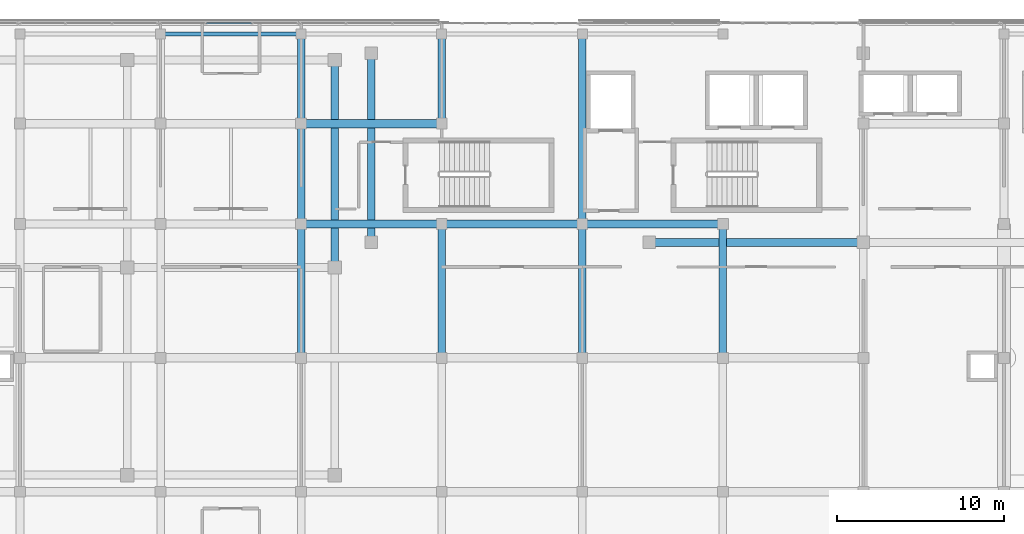
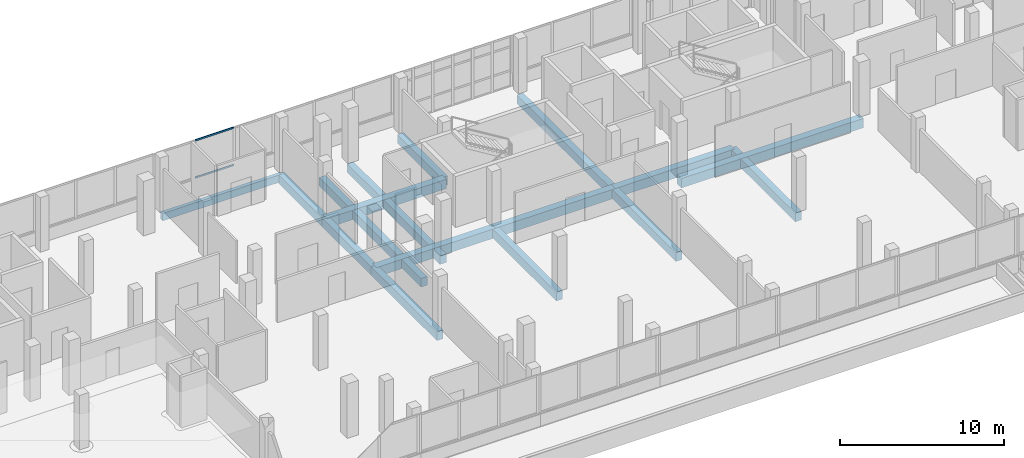
# One storey, part 30 of 78: 16 beams, 2 members, 1 element without a shape of its own.
"""IFC4 building model written with IfcOpenShell, lengths in metres."""

import ifcopenshell
import ifcopenshell.guid

model = None  # the IFC model being written
_history = None  # IfcOwnerHistory: only IFC2X3 demands one
_inside = {}  # id of a spatial element -> (the spatial element, [elements in it])
_under = {}  # id of a project, library or spatial element -> (it, [spatial elements below it])
_declared = {}  # id of a project -> (the project, [libraries it declares])
_typed = {}  # id of a type object -> (the type object, [elements of that type])
_made_of = {}  # id of a material, layer set ... -> (it, [elements and type objects made of it])


def new_model(schema):
    """Start an empty IFC model of exactly this schema.

    Asked for "IFC4X3", IfcOpenShell would pick the latest addendum, in which some entities
    have other attributes; the version numbers below select the first issue.
    IFC2X3 requires an IfcOwnerHistory on every rooted entity: one is made here for all.
    """
    global model, _history
    if schema == "IFC4X3":
        model = ifcopenshell.file(schema_version=(4, 3, 0, 0))
    else:
        model = ifcopenshell.file(schema=schema)
    _inside.clear()
    _under.clear()
    _declared.clear()
    _typed.clear()
    _made_of.clear()
    _history = None
    if model.schema == "IFC2X3":
        org = make("IfcOrganization", Name="unknown")
        user = make(
            "IfcPersonAndOrganization",
            ThePerson=make("IfcPerson", FamilyName="unknown"),
            TheOrganization=org,
        )
        app = make(
            "IfcApplication",
            ApplicationDeveloper=org,
            Version="unknown",
            ApplicationFullName="unknown",
            ApplicationIdentifier="unknown",
        )
        _history = make(
            "IfcOwnerHistory",
            OwningUser=user,
            OwningApplication=app,
            ChangeAction="ADDED",
            CreationDate=0,
        )
    return model


def make(cls, **values):
    """One entity of the class cls with the attributes given. An attribute that is None is left unset."""
    return model.create_entity(
        cls, **{name: value for name, value in values.items() if value is not None}
    )


def rooted(cls, **values):
    """An entity with a GlobalId (a new one), such as an element, a storey or a relation."""
    return make(cls, GlobalId=ifcopenshell.guid.new(), OwnerHistory=_history, **values)


def si_unit(unit_type, name, prefix=None):
    """IfcSIUnit, for example si_unit("LENGTHUNIT", "METRE", prefix="MILLI")."""
    return make("IfcSIUnit", UnitType=unit_type, Prefix=prefix, Name=name)


def assignment(units):
    """IfcUnitAssignment: the units of a project."""
    return None if units is None else make("IfcUnitAssignment", Units=units)


def point(xyz):
    """IfcCartesianPoint."""
    return None if xyz is None else make("IfcCartesianPoint", Coordinates=xyz)


def direction(xyz):
    """IfcDirection."""
    return None if xyz is None else make("IfcDirection", DirectionRatios=xyz)


def frame(location, z_axis=None, x_axis=None):
    """IfcAxis2Placement3D, a coordinate frame: its origin and axes. An axis left out is left unset."""
    return make(
        "IfcAxis2Placement3D",
        Location=point(location),
        Axis=direction(z_axis),
        RefDirection=direction(x_axis),
    )


def frame_2d(location, x_axis=None):
    """IfcAxis2Placement2D, a coordinate frame in the plane: its origin and x axis."""
    return make(
        "IfcAxis2Placement2D", Location=point(location), RefDirection=direction(x_axis)
    )


def origin():
    """The frame at (0, 0, 0) with its axes left unset."""
    return frame((0.0, 0.0, 0.0))


def origin_2d():
    """The frame at (0, 0) in the plane with its x axis left unset."""
    return frame_2d((0.0, 0.0))


def place(relative_to, where):
    """IfcLocalPlacement: puts the frame where relative to a parent placement (None: the world)."""
    return make(
        "IfcLocalPlacement", PlacementRelTo=relative_to, RelativePlacement=where
    )


def context(
    kind, dimensions, precision=None, world=None, true_north=None, identifier=None
):
    """IfcGeometricRepresentationContext, for example the 3D "Model" context."""
    return make(
        "IfcGeometricRepresentationContext",
        ContextIdentifier=identifier,
        ContextType=kind,
        CoordinateSpaceDimension=dimensions,
        Precision=precision,
        WorldCoordinateSystem=world,
        TrueNorth=true_north,
    )


def subcontext(parent, identifier, kind, view, scale=None):
    """IfcGeometricRepresentationSubContext, for example "Body" below "Model"."""
    return make(
        "IfcGeometricRepresentationSubContext",
        ContextIdentifier=identifier,
        ContextType=kind,
        ParentContext=parent,
        TargetScale=scale,
        TargetView=view,
    )


def project(units=None, contexts=None):
    """IfcProject with its units and contexts."""
    return rooted(
        "IfcProject",
        Name="project",
        RepresentationContexts=contexts,
        UnitsInContext=assignment(units),
    )


def spatial(cls, under=None, at=None, **own):
    """A site, building, storey or space (cls), placed at a placement, below another one or the project."""
    s = rooted(cls, ObjectPlacement=at, **own)
    if under is not None:
        _under.setdefault(under.id(), (under, []))[1].append(s)
    return s


def profile(cls, at=None, kind="AREA", **sizes):
    """A parametric profile (cls). Its sizes go by their IFC names, for example OverallWidth=200.0."""
    return make(cls, ProfileType=kind, Position=at, **sizes)


def rectangle(**sizes):
    """IfcRectangleProfileDef."""
    return profile("IfcRectangleProfileDef", **sizes)


def hollow_rectangle(**sizes):
    """IfcRectangleHollowProfileDef."""
    return profile("IfcRectangleHollowProfileDef", **sizes)


def extrude(swept, where, along, depth):
    """IfcExtrudedAreaSolid: the profile swept, set in the frame where, extruded along a direction by depth."""
    return make(
        "IfcExtrudedAreaSolid",
        SweptArea=swept,
        Position=where,
        ExtrudedDirection=direction(along),
        Depth=depth,
    )


def shape(context_of_items, identifier, shape_type, items):
    """IfcShapeRepresentation: the items that make up one representation, for example the "Body"."""
    return make(
        "IfcShapeRepresentation",
        ContextOfItems=context_of_items,
        RepresentationIdentifier=identifier,
        RepresentationType=shape_type,
        Items=items,
    )


def material(Name=None, Category=None):
    """IfcMaterial."""
    return make("IfcMaterial", Name=Name, Category=Category)


def material_profile(
    of_material, cross_section, Name=None, Category=None, Priority=None
):
    """IfcMaterialProfile: a cross section and its material."""
    return make(
        "IfcMaterialProfile",
        Name=Name,
        Material=of_material,
        Profile=cross_section,
        Priority=Priority,
        Category=Category,
    )


def profile_set(profiles, Name=None, composite=None):
    """IfcMaterialProfileSet."""
    return make(
        "IfcMaterialProfileSet",
        Name=Name,
        MaterialProfiles=profiles,
        CompositeProfile=composite,
    )


def made_of(thing, what):
    """Note that an element or type object is made of a material, layer set ...; save() writes the relation."""
    if what is not None:
        _made_of.setdefault(what.id(), (what, []))[1].append(thing)
    return thing


def type_object(cls, material=None, **own):
    """A type object (cls), such as IfcWallType, which elements share."""
    return made_of(rooted(cls, **own), material)


def element(
    cls,
    number,
    at=None,
    inside=None,
    cuts=None,
    type_object=None,
    material=None,
    context=None,
    identifier="Body",
    shape_type=None,
    held_by="IfcProductDefinitionShape",
    body=None,
    shapes=None,
    **own,
):
    """One element of the class cls, such as IfcWall. Its Tag is "e" and its number.

    at: its placement. inside: the storey or other place that contains it. cuts: it is an
    opening in that element (IfcRelVoidsElement). A single representation is given by context,
    identifier, shape_type and body (its items); several are given by shapes. held_by: the class
    of the entity that holds the representations. save() writes the other relations.
    """
    e = rooted(cls, Tag="e%d" % number, ObjectPlacement=at, **own)
    if body is not None:
        shapes = [shape(context, identifier, shape_type, body)]
    if shapes is not None:
        e.Representation = make(held_by, Representations=shapes)
    if inside is not None:
        _inside.setdefault(inside.id(), (inside, []))[1].append(e)
    if cuts is not None:
        rooted(
            "IfcRelVoidsElement", RelatingBuildingElement=cuts, RelatedOpeningElement=e
        )
    if type_object is not None:
        _typed.setdefault(type_object.id(), (type_object, []))[1].append(e)
    return made_of(e, material)


def aggregate(whole, parts):
    """IfcRelAggregates: a whole, such as a stair, and the parts it consists of."""
    return rooted("IfcRelAggregates", RelatingObject=whole, RelatedObjects=parts)


def save(model, path):
    """Write the relations noted so far, then the file.

    IfcRelAggregates (storeys below a building ...), IfcRelContainedInSpatialStructure (elements
    in a storey), IfcRelDefinesByType, IfcRelAssociatesMaterial and IfcRelDeclares: one each for
    every whole, place, type object, material and project.
    """
    for whole, parts in _under.values():
        aggregate(whole, parts)
    for where, things in _inside.values():
        rooted(
            "IfcRelContainedInSpatialStructure",
            RelatedElements=things,
            RelatingStructure=where,
        )
    for kind, things in _typed.values():
        rooted("IfcRelDefinesByType", RelatedObjects=things, RelatingType=kind)
    for what, things in _made_of.values():
        rooted("IfcRelAssociatesMaterial", RelatedObjects=things, RelatingMaterial=what)
    for by, libraries in _declared.values():
        rooted("IfcRelDeclares", RelatingContext=by, RelatedDefinitions=libraries)
    model.write(path)


model = new_model("IFC4")

# Units and contexts
model_context = context("Model", 3, precision=1e-05, world=origin(), true_north=direction((0.0, 1.0)))
body_context = subcontext(model_context, "Body", "Model", "MODEL_VIEW")
ifc_project = project(units=[si_unit("LENGTHUNIT", "METRE"), si_unit("AREAUNIT", "SQUARE_METRE"), si_unit("VOLUMEUNIT", "CUBIC_METRE"), si_unit("PLANEANGLEUNIT", "RADIAN"), si_unit("MASSUNIT", "GRAM", prefix="KILO")], contexts=[model_context])

# Site, building, storey
site_placement = place(None, origin())
site = spatial("IfcSite", under=ifc_project, at=site_placement, CompositionType="ELEMENT")
building_placement = place(site_placement, origin())
building = spatial("IfcBuilding", under=site, at=building_placement, Name="Selatvlak General Hospital", CompositionType="ELEMENT")
storey_placement = place(building_placement, frame((0.0, 0.0, 23.25)))
storey = spatial("IfcBuildingStorey", under=building, at=storey_placement, Name="L05", CompositionType="ELEMENT", Elevation=23.25)

# Beams
ifc_material_1 = material(Name="Concrete C40/50", Category="concrete")
ifc_material_profile_1 = material_profile(ifc_material_1, rectangle(XDim=0.5, YDim=0.699951171875, at=origin_2d()), Name="RC-BM 500x700")
ifc_profile_set_1 = profile_set([ifc_material_profile_1], Name="Concrete C40/50")
beam_type_1 = type_object("IfcBeamType", Name="BM-G03", PredefinedType="BEAM", material=ifc_profile_set_1)
beam_1_placement = place(storey_placement, frame((102.39990234375, 106.89990234375, -0.6298828125), z_axis=(1.0, 0.0, 0.0), x_axis=(0.0, 1.0, 0.0)))
element("IfcBeam", 1, at=beam_1_placement, inside=storey, type_object=beam_type_1, Name="Beam BMR-L05-1944", PredefinedType="BEAM", context=body_context, shape_type="SweptSolid", body=[
    extrude(rectangle(XDim=0.5, YDim=0.699951171875, at=origin_2d()), origin(), (0.0, 0.0, 1.0), 12.800048828125),
])
for number, where, z_axis, x_axis, name in (
    (2, (81.60009765625, 108.0, -0.6298828125), (1.0, 0.0, 0.0), (0.0, 1.0, 0.0), "Beam BMR-L05-1952"),
    (3, (90.0, 108.0, -0.6298828125), (1.0, 0.0, 0.0), (0.0, 1.0, 0.0), "Beam BMR-L05-1953"),
):
    element("IfcBeam", number, at=place(storey_placement, frame(where, z_axis=z_axis, x_axis=x_axis)), inside=storey, type_object=beam_type_1, Name=name, PredefinedType="BEAM", context=body_context, shape_type="SweptSolid", body=[
        extrude(rectangle(XDim=0.5, YDim=0.699951171875, at=origin_2d()), origin(), (0.0, 0.0, 1.0), 8.39990234375),
    ])
beam_2_placement = place(storey_placement, frame((98.39990234375, 108.0, -0.6298828125), z_axis=(1.0, 0.0, 0.0), x_axis=(0.0, 1.0, 0.0)))
element("IfcBeam", 4, at=beam_2_placement, inside=storey, type_object=beam_type_1, Name="Beam BMR-L05-1954", PredefinedType="BEAM", context=body_context, shape_type="SweptSolid", body=[
    extrude(rectangle(XDim=0.5, YDim=0.699951171875, at=origin_2d()), origin(), (0.0, 0.0, 1.0), 8.400146484375),
])
beam_3_placement = place(storey_placement, frame((81.60009765625, 114.0, -0.6298828125), z_axis=(1.0, 0.0, 0.0), x_axis=(0.0, 1.0, 0.0)))
element("IfcBeam", 5, at=beam_3_placement, inside=storey, type_object=beam_type_1, Name="Beam BMR-L05-1966", PredefinedType="BEAM", context=body_context, shape_type="SweptSolid", body=[
    extrude(rectangle(XDim=0.5, YDim=0.699951171875, at=origin_2d()), origin(), (0.0, 0.0, 1.0), 8.39990234375),
])
ifc_material_profile_2 = material_profile(ifc_material_1, rectangle(XDim=0.449951171875, YDim=0.64990234375, at=origin_2d()), Name="RC-BM 450x650")
ifc_profile_set_2 = profile_set([ifc_material_profile_2], Name="Concrete C40/50")
beam_type_2 = type_object("IfcBeamType", Name="BM-G04", PredefinedType="BEAM", material=ifc_profile_set_2)
beam_4_placement = place(storey_placement, frame((81.60009765625, 100.0, -0.60498046875), z_axis=(0.0, 1.0, 0.0), x_axis=(-1.0, 0.0, 0.0)))
element("IfcBeam", 6, at=beam_4_placement, inside=storey, type_object=beam_type_2, Name="Beam BMR-L05-2023", PredefinedType="BEAM", context=body_context, shape_type="SweptSolid", body=[
    extrude(rectangle(XDim=0.449951171875, YDim=0.64990234375, at=origin_2d()), origin(), (0.0, 0.0, 1.0), 8.0),
])
beam_5_placement = place(storey_placement, frame((81.60009765625, 108.0, -0.60498046875), z_axis=(0.0, 1.0, 0.0), x_axis=(-1.0, 0.0, 0.0)))
element("IfcBeam", 7, at=beam_5_placement, inside=storey, type_object=beam_type_2, Name="Beam BMR-L05-2024", PredefinedType="BEAM", context=body_context, shape_type="SweptSolid", body=[
    extrude(rectangle(XDim=0.449951171875, YDim=0.64990234375, at=origin_2d()), origin(), (0.0, 0.0, 1.0), 6.0),
])
beam_6_placement = place(storey_placement, frame((81.60009765625, 114.0, -0.60498046875), z_axis=(0.0, 1.0, 0.0), x_axis=(-1.0, 0.0, 0.0)))
element("IfcBeam", 8, at=beam_6_placement, inside=storey, type_object=beam_type_2, Name="Beam BMR-L05-2025", PredefinedType="BEAM", context=body_context, shape_type="SweptSolid", body=[
    extrude(rectangle(XDim=0.449951171875, YDim=0.64990234375, at=origin_2d()), origin(), (0.0, 0.0, 1.0), 5.35009765625),
])
beam_7_placement = place(storey_placement, frame((83.60009765625, 105.39990234375, -0.60498046875), z_axis=(0.0, 1.0, 0.0), x_axis=(-1.0, 0.0, 0.0)))
element("IfcBeam", 9, at=beam_7_placement, inside=storey, type_object=beam_type_2, Name="Beam BMR-L05-2027", PredefinedType="BEAM", context=body_context, shape_type="SweptSolid", body=[
    extrude(rectangle(XDim=0.449951171875, YDim=0.64990234375, at=origin_2d()), origin(), (0.0, 0.0, 1.0), 12.400146484375),
])
beam_8_placement = place(storey_placement, frame((85.800048828125, 106.89990234375, -0.60498046875), z_axis=(0.0, 1.0, 0.0), x_axis=(-1.0, 0.0, 0.0)))
element("IfcBeam", 10, at=beam_8_placement, inside=storey, type_object=beam_type_2, Name="Beam BMR-L05-2028", PredefinedType="BEAM", context=body_context, shape_type="SweptSolid", body=[
    extrude(rectangle(XDim=0.449951171875, YDim=0.64990234375, at=origin_2d()), origin(), (0.0, 0.0, 1.0), 11.300048828125),
])
beam_9_placement = place(storey_placement, frame((90.0, 100.0, -0.60498046875), z_axis=(0.0, 1.0, 0.0), x_axis=(-1.0, 0.0, 0.0)))
element("IfcBeam", 11, at=beam_9_placement, inside=storey, type_object=beam_type_2, Name="Beam BMR-L05-2031", PredefinedType="BEAM", context=body_context, shape_type="SweptSolid", body=[
    extrude(rectangle(XDim=0.449951171875, YDim=0.64990234375, at=origin_2d()), origin(), (0.0, 0.0, 1.0), 8.0),
])
beam_10_placement = place(storey_placement, frame((90.0, 114.0, -0.60498046875), z_axis=(0.0, 1.0, 0.0), x_axis=(-1.0, 0.0, 0.0)))
element("IfcBeam", 12, at=beam_10_placement, inside=storey, type_object=beam_type_2, Name="Beam BMR-L05-2032", PredefinedType="BEAM", context=body_context, shape_type="SweptSolid", body=[
    extrude(rectangle(XDim=0.449951171875, YDim=0.64990234375, at=origin_2d()), origin(), (0.0, 0.0, 1.0), 5.35009765625),
])
beam_11_placement = place(storey_placement, frame((98.39990234375, 100.0, -0.60498046875), z_axis=(0.0, 1.0, 0.0), x_axis=(-1.0, 0.0, 0.0)))
element("IfcBeam", 13, at=beam_11_placement, inside=storey, type_object=beam_type_2, Name="Beam BMR-L05-2035", PredefinedType="BEAM", context=body_context, shape_type="SweptSolid", body=[
    extrude(rectangle(XDim=0.449951171875, YDim=0.64990234375, at=origin_2d()), origin(), (0.0, 0.0, 1.0), 8.0),
])
beam_12_placement = place(storey_placement, frame((98.39990234375, 108.0, -0.60498046875), z_axis=(0.0, 1.0, 0.0), x_axis=(-1.0, 0.0, 0.0)))
element("IfcBeam", 14, at=beam_12_placement, inside=storey, type_object=beam_type_2, Name="Beam BMR-L05-2036", PredefinedType="BEAM", context=body_context, shape_type="SweptSolid", body=[
    extrude(rectangle(XDim=0.449951171875, YDim=0.64990234375, at=origin_2d()), origin(), (0.0, 0.0, 1.0), 11.35009765625),
])
beam_13_placement = place(storey_placement, frame((106.800048828125, 100.0, -0.60498046875), z_axis=(0.0, 1.0, 0.0), x_axis=(-1.0, 0.0, 0.0)))
element("IfcBeam", 15, at=beam_13_placement, inside=storey, type_object=beam_type_2, Name="Beam BMR-L05-2039", PredefinedType="BEAM", context=body_context, shape_type="SweptSolid", body=[
    extrude(rectangle(XDim=0.449951171875, YDim=0.64990234375, at=origin_2d()), origin(), (0.0, 0.0, 1.0), 8.0),
])
ifc_material_profile_3 = material_profile(ifc_material_1, rectangle(XDim=0.25, YDim=0.550048828125, at=origin_2d()), Name="RC-SP 250x550")
ifc_profile_set_3 = profile_set([ifc_material_profile_3], Name="Concrete C40/50")
beam_type_3 = type_object("IfcBeamType", Name="BM-SP2", PredefinedType="SPANDREL", material=ifc_profile_set_3)
beam_14_placement = place(storey_placement, frame((73.199951171875, 119.35009765625, -0.554931640625), z_axis=(1.0, 0.0, 0.0), x_axis=(0.0, 1.0, 0.0)))
element("IfcBeam", 16, at=beam_14_placement, inside=storey, type_object=beam_type_3, Name="Beam BMR-L05-1978", PredefinedType="SPANDREL", context=body_context, shape_type="SweptSolid", body=[
    extrude(rectangle(XDim=0.25, YDim=0.550048828125, at=origin_2d()), origin(), (0.0, 0.0, 1.0), 8.400146484375),
])

# Curtain wall, members
ifc_material_2 = material(Name="Solar-control Low-E double glazing", Category="glass")
curtain_wall_type = type_object("IfcCurtainWallType", Name="CW-CW-01", PredefinedType="USERDEFINED", material=ifc_material_2)
curtain_wall_placement = place(storey_placement, origin())
curtain_wall = element("IfcCurtainWall", 17, at=curtain_wall_placement, inside=storey, type_object=curtain_wall_type, Name="Glazed facade curtain wall CW-L05-0553", ObjectType="UNITISED CURTAIN WALL", PredefinedType="USERDEFINED")
ifc_material_3 = material(Name="Dark anodised aluminium mullion", Category="aluminium")
ifc_material_profile_4 = material_profile(ifc_material_3, hollow_rectangle(XDim=0.06494140625, YDim=0.1201171875, WallThickness=0.00390625, at=origin_2d()), Name="AL-TRN 65x120x4")
ifc_profile_set_4 = profile_set([ifc_material_profile_4], Name="Dark anodised aluminium mullion")
member_type = type_object("IfcMemberType", Name="CWT-01", PredefinedType="USERDEFINED", material=ifc_profile_set_4)
member_1_placement = place(storey_placement, frame((75.936767578125, 119.9990234375, 0.972412109375), z_axis=(1.0, 0.0, 0.0), x_axis=(0.0, 1.0, 0.0)))
member_1 = element("IfcMember", 18, at=member_1_placement, type_object=member_type, Name="CW-01 transom 2.1", ObjectType="TRANSOM", PredefinedType="USERDEFINED", context=body_context, shape_type="SweptSolid", body=[
    extrude(hollow_rectangle(XDim=0.06494140625, YDim=0.1201171875, WallThickness=0.00390625, at=origin_2d()), origin(), (0.0, 0.0, 1.0), 2.701416015625),
])
member_2_placement = place(storey_placement, frame((75.936767578125, 119.9990234375, 3.742431640625), z_axis=(1.0, 0.0, 0.0), x_axis=(0.0, 1.0, 0.0)))
member_2 = element("IfcMember", 19, at=member_2_placement, type_object=member_type, Name="CW-01 transom 2.2", ObjectType="TRANSOM", PredefinedType="USERDEFINED", context=body_context, shape_type="SweptSolid", body=[
    extrude(hollow_rectangle(XDim=0.06494140625, YDim=0.1201171875, WallThickness=0.00390625, at=origin_2d()), origin(), (0.0, 0.0, 1.0), 2.701416015625),
])
aggregate(curtain_wall, [member_1, member_2])

save(model, "model.ifc")
